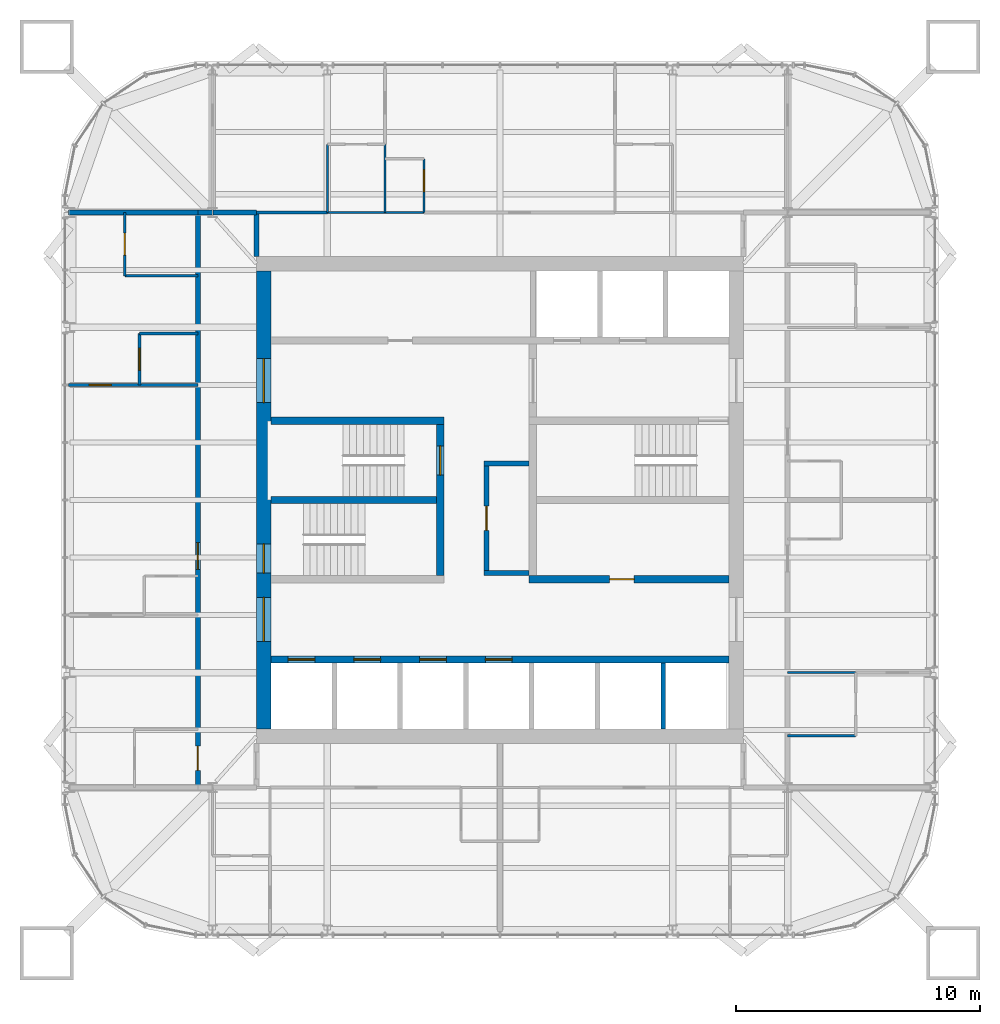
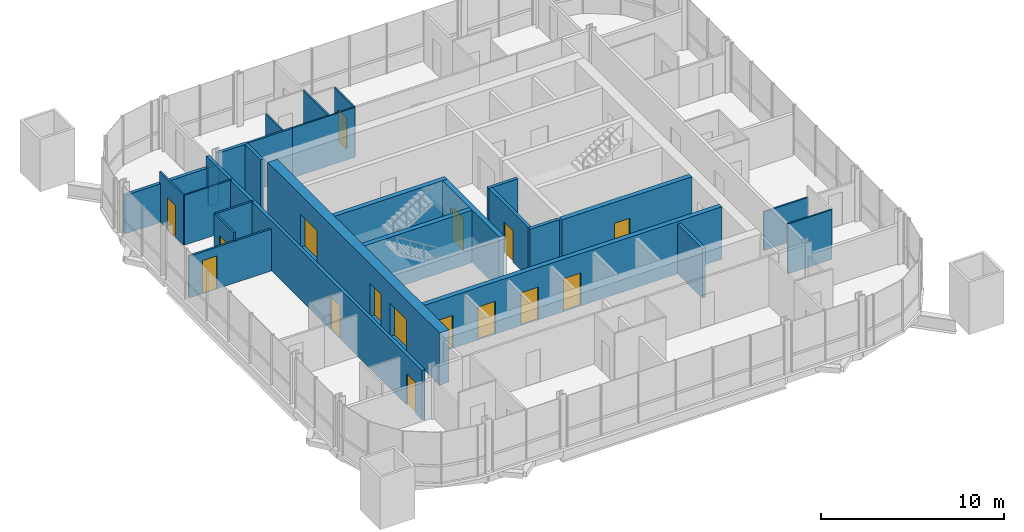
# One storey, part 14 of 17: 27 walls, 16 doors, 16 openings.
"""IFC4 building model written with IfcOpenShell, lengths in metres."""

from ifc_helpers import new_model, si_unit, direction, frame, frame_2d, origin, place, context, subcontext, project, spatial, rectangle, extrude, material, layer, layer_set, type_object, element, fill, save


model = new_model("IFC4")

# Units and contexts
model_context = context("Model", 3, precision=1e-05, world=origin(), true_north=direction((0.0, 1.0)))
body_context = subcontext(model_context, "Body", "Model", "MODEL_VIEW")
ifc_project = project(units=[si_unit("LENGTHUNIT", "METRE"), si_unit("AREAUNIT", "SQUARE_METRE"), si_unit("VOLUMEUNIT", "CUBIC_METRE"), si_unit("PLANEANGLEUNIT", "RADIAN"), si_unit("MASSUNIT", "GRAM", prefix="KILO")], contexts=[model_context])

# Site, building, storey
site_placement = place(None, origin())
site = spatial("IfcSite", under=ifc_project, at=site_placement, CompositionType="ELEMENT")
building_placement = place(site_placement, origin())
building = spatial("IfcBuilding", under=site, at=building_placement, Name="Turquesa Mirador Hotel Tower", CompositionType="ELEMENT")
storey_placement = place(building_placement, frame((0.0, 0.0, 237.199951171875)))
storey = spatial("IfcBuildingStorey", under=building, at=storey_placement, Name="L64", CompositionType="ELEMENT", Elevation=237.199951171875)

# Walls
ifc_material_1 = material(Name="Gypsum board on steel studs", Category="steel")
ifc_layer_1 = layer(ifc_material_1, 0.10009765625)
ifc_layer_set_1 = layer_set([ifc_layer_1], Name="BATHROOM WALL 100")
wall_type_1 = type_object("IfcWallType", Name="BATHROOM WALL 100", PredefinedType="PARTITIONING", material=ifc_layer_set_1)
wall_1_placement = place(storey_placement, frame((66.800048828125, 37.919921875, 0.0), z_axis=(0.0, 0.0, 1.0), x_axis=(1.0, 0.0, 0.0)))
element("IfcWall", 1, at=wall_1_placement, inside=storey, type_object=wall_type_1, Name="Partition L64 017", PredefinedType="PARTITIONING", context=body_context, shape_type="SweptSolid", body=[
    extrude(rectangle(XDim=2.800048828125, YDim=0.10009765625, at=frame_2d((1.39990234375, 0.0))), origin(), (0.0, 0.0, 1.0), 2.5732421875),
])
wall_2_placement = place(storey_placement, frame((66.800048828125, 35.320068359375, 0.0), z_axis=(0.0, 0.0, 1.0), x_axis=(1.0, 0.0, 0.0)))
element("IfcWall", 2, at=wall_2_placement, inside=storey, type_object=wall_type_1, Name="Partition L64 020", PredefinedType="PARTITIONING", context=body_context, shape_type="SweptSolid", body=[
    extrude(rectangle(XDim=2.800048828125, YDim=0.10009765625, at=frame_2d((1.39990234375, 0.0))), origin(), (0.0, 0.0, 1.0), 3.330078125),
])
wall_3_placement = place(storey_placement, frame((47.919921875, 56.800048828125, 0.0), z_axis=(0.0, 0.0, 1.0), x_axis=(1.0, 0.0, 0.0)))
element("IfcWall", 3, at=wall_3_placement, inside=storey, type_object=wall_type_1, Name="Partition L64 023", PredefinedType="PARTITIONING", context=body_context, shape_type="SweptSolid", body=[
    extrude(rectangle(XDim=3.9599609375, YDim=0.10009765625, at=frame_2d((1.97998046875, 0.0))), origin(), (0.0, 0.0, 1.0), 3.330078125),
])
wall_4_placement = place(storey_placement, frame((39.60009765625, 54.199951171875, 0.0), z_axis=(0.0, 0.0, 1.0), x_axis=(1.0, 0.0, 0.0)))
element("IfcWall", 4, at=wall_4_placement, inside=storey, type_object=wall_type_1, Name="Partition L64 039", PredefinedType="PARTITIONING", context=body_context, shape_type="SweptSolid", body=[
    extrude(rectangle(XDim=3.0, YDim=0.10009765625, at=frame_2d((1.5, 0.0))), origin(), (0.0, 0.0, 1.0), 3.330078125),
])

# Wall, opening, door
wall_5_placement = place(storey_placement, frame((39.60009765625, 54.199951171875, 0.0), z_axis=(0.0, 0.0, 1.0), x_axis=(0.0, 1.0, 0.0)))
wall_5 = element("IfcWall", 5, at=wall_5_placement, inside=storey, type_object=wall_type_1, Name="Partition L64 050", PredefinedType="PARTITIONING", context=body_context, shape_type="SweptSolid", body=[
    extrude(rectangle(XDim=2.60009765625, YDim=0.10009765625, at=frame_2d((1.300048828125, 0.0))), origin(), (0.0, 0.0, 1.0), 3.330078125),
])
opening_1_placement = place(wall_5_placement, frame((0.85009765625, 0.0, 0.0)))
opening_1 = element("IfcOpeningElement", 6, at=opening_1_placement, cuts=wall_5, Name="Opening D02", PredefinedType="OPENING", context=body_context, shape_type="SweptSolid", body=[
    extrude(rectangle(XDim=0.89990234375, YDim=2.10009765625, at=frame_2d((0.449951171875, 1.050048828125))), frame((0.0, 0.06005859375, 0.0), z_axis=(0.0, -1.0, 0.0), x_axis=(1.0, 0.0, 0.0)), (0.0, 0.0, 1.0), 0.1201171875),
])
ifc_material_2 = material(Name="Timber veneered door", Category="wood")
door_type_1 = type_object("IfcDoorType", Name="DOOR 900X2100 EN-SUITE", OperationType="SINGLE_SWING_RIGHT", PredefinedType="DOOR", material=ifc_material_2)
door_1_placement = place(opening_1_placement, origin())
door_1 = element("IfcDoor", 7, at=door_1_placement, inside=storey, type_object=door_type_1, Name="Door 6406B", OperationType="SINGLE_SWING_RIGHT", OverallHeight=2.10009765625, OverallWidth=0.89990234375, PredefinedType="DOOR", context=body_context, shape_type="SweptSolid", body=[
    extrude(rectangle(XDim=0.89990234375, YDim=2.10009765625, at=frame_2d((0.449951171875, 1.050048828125))), frame((0.0, 0.02490234375, 0.0), z_axis=(0.0, -1.0, 0.0), x_axis=(1.0, 0.0, 0.0)), (0.0, 0.0, 1.0), 0.050048828125),
])
fill(opening_1, door_1)

wall_6_placement = place(storey_placement, frame((51.8798828125, 56.800048828125, 0.0), z_axis=(0.0, 0.0, 1.0), x_axis=(0.0, 1.0, 0.0)))
wall_6 = element("IfcWall", 8, at=wall_6_placement, inside=storey, type_object=wall_type_1, Name="Partition L64 051", PredefinedType="PARTITIONING", context=body_context, shape_type="SweptSolid", body=[
    extrude(rectangle(XDim=2.199951171875, YDim=0.10009765625, at=frame_2d((1.10009765625, 0.0))), origin(), (0.0, 0.0, 1.0), 3.330078125),
])
opening_2_placement = place(wall_6_placement, frame((0.85009765625, 0.0, 0.0)))
opening_2 = element("IfcOpeningElement", 9, at=opening_2_placement, cuts=wall_6, Name="Opening D06", PredefinedType="OPENING", context=body_context, shape_type="SweptSolid", body=[
    extrude(rectangle(XDim=0.89990234375, YDim=2.10009765625, at=frame_2d((0.449951171875, 1.050048828125))), frame((0.0, 0.06005859375, 0.0), z_axis=(0.0, -1.0, 0.0), x_axis=(1.0, 0.0, 0.0)), (0.0, 0.0, 1.0), 0.1201171875),
])
ifc_material_3 = material(Name="Laminate door", Category="wood")
door_type_2 = type_object("IfcDoorType", Name="DOOR 900X2100 WC", OperationType="SINGLE_SWING_LEFT", PredefinedType="DOOR", material=ifc_material_3)
door_2_placement = place(opening_2_placement, origin())
door_2 = element("IfcDoor", 10, at=door_2_placement, inside=storey, type_object=door_type_2, Name="Door 6401W", OperationType="SINGLE_SWING_LEFT", OverallHeight=2.10009765625, OverallWidth=0.89990234375, PredefinedType="DOOR", context=body_context, shape_type="SweptSolid", body=[
    extrude(rectangle(XDim=0.89990234375, YDim=2.10009765625, at=frame_2d((0.449951171875, 1.050048828125))), frame((0.0, 0.02490234375, 0.0), z_axis=(0.0, -1.0, 0.0), x_axis=(1.0, 0.0, 0.0)), (0.0, 0.0, 1.0), 0.050048828125),
])
fill(opening_2, door_2)

# Walls
wall_7_placement = place(storey_placement, frame((50.280029296875, 56.800048828125, 0.0), z_axis=(0.0, 0.0, 1.0), x_axis=(0.0, 1.0, 0.0)))
element("IfcWall", 11, at=wall_7_placement, inside=storey, type_object=wall_type_1, Name="Partition L64 052", PredefinedType="PARTITIONING", context=body_context, shape_type="SweptSolid", body=[
    extrude(rectangle(XDim=2.800048828125, YDim=0.10009765625, at=frame_2d((1.39990234375, 0.0))), origin(), (0.0, 0.0, 1.0), 3.330078125),
])
wall_8_placement = place(storey_placement, frame((47.919921875, 56.800048828125, 0.0), z_axis=(0.0, 0.0, 1.0), x_axis=(0.0, 1.0, 0.0)))
element("IfcWall", 12, at=wall_8_placement, inside=storey, type_object=wall_type_1, Name="Partition L64 054", PredefinedType="PARTITIONING", context=body_context, shape_type="SweptSolid", body=[
    extrude(rectangle(XDim=2.800048828125, YDim=0.10009765625, at=frame_2d((1.39990234375, 0.0))), origin(), (0.0, 0.0, 1.0), 2.5732421875),
])

# Wall, openings, doors
ifc_material_4 = material(Name="Concrete C50/60", Category="concrete")
ifc_layer_2 = layer(ifc_material_4, 0.300048828125)
ifc_layer_set_2 = layer_set([ifc_layer_2], Name="CORE INNER WALL 300")
wall_type_2 = type_object("IfcWallType", Name="CORE INNER WALL 300", PredefinedType="SHEAR", material=ifc_layer_set_2)
wall_9_placement = place(storey_placement, frame((45.60009765625, 38.449951171875, 0.0), z_axis=(0.0, 0.0, 1.0), x_axis=(1.0, 0.0, 0.0)))
wall_9 = element("IfcWall", 13, at=wall_9_placement, inside=storey, type_object=wall_type_2, Name="Core wall SL", PredefinedType="SHEAR", context=body_context, shape_type="SweptSolid", body=[
    extrude(rectangle(XDim=18.7998046875, YDim=0.300048828125, at=frame_2d((9.39990234375, 0.0))), origin(), (0.0, 0.0, 1.0), 3.5),
])
opening_3_placement = place(wall_9_placement, frame((0.699951171875, 0.0, 0.0)))
opening_3 = element("IfcOpeningElement", 14, at=opening_3_placement, cuts=wall_9, Name="Opening LD", PredefinedType="OPENING", context=body_context, shape_type="SweptSolid", body=[
    extrude(rectangle(XDim=1.10009765625, YDim=2.199951171875, at=frame_2d((0.550048828125, 1.10009765625))), frame((0.0, 0.159912109375, 0.0), z_axis=(0.0, -1.0, 0.0), x_axis=(1.0, 0.0, 0.0)), (0.0, 0.0, 1.0), 0.320068359375),
])
opening_4_placement = place(wall_9_placement, frame((3.39990234375, 0.0, 0.0)))
opening_4 = element("IfcOpeningElement", 15, at=opening_4_placement, cuts=wall_9, Name="Opening LD", PredefinedType="OPENING", context=body_context, shape_type="SweptSolid", body=[
    extrude(rectangle(XDim=1.10009765625, YDim=2.199951171875, at=frame_2d((0.550048828125, 1.10009765625))), frame((0.0, 0.159912109375, 0.0), z_axis=(0.0, -1.0, 0.0), x_axis=(1.0, 0.0, 0.0)), (0.0, 0.0, 1.0), 0.320068359375),
])
opening_5_placement = place(wall_9_placement, frame((6.10009765625, 0.0, 0.0)))
opening_5 = element("IfcOpeningElement", 16, at=opening_5_placement, cuts=wall_9, Name="Opening LD", PredefinedType="OPENING", context=body_context, shape_type="SweptSolid", body=[
    extrude(rectangle(XDim=1.10009765625, YDim=2.199951171875, at=frame_2d((0.550048828125, 1.10009765625))), frame((0.0, 0.159912109375, 0.0), z_axis=(0.0, -1.0, 0.0), x_axis=(1.0, 0.0, 0.0)), (0.0, 0.0, 1.0), 0.320068359375),
])
opening_6_placement = place(wall_9_placement, frame((8.800048828125, 0.0, 0.0)))
opening_6 = element("IfcOpeningElement", 17, at=opening_6_placement, cuts=wall_9, Name="Opening LD", PredefinedType="OPENING", context=body_context, shape_type="SweptSolid", body=[
    extrude(rectangle(XDim=1.10009765625, YDim=2.199951171875, at=frame_2d((0.550048828125, 1.10009765625))), frame((0.0, 0.159912109375, 0.0), z_axis=(0.0, -1.0, 0.0), x_axis=(1.0, 0.0, 0.0)), (0.0, 0.0, 1.0), 0.320068359375),
])
ifc_material_5 = material(Name="Stainless steel lift landing door", Category="steel")
door_type_3 = type_object("IfcDoorType", Name="LIFT LANDING DOOR 1100X2200", OperationType="SLIDING_TO_LEFT", PredefinedType="DOOR", material=ifc_material_5)
door_3_placement = place(opening_3_placement, origin())
door_3 = element("IfcDoor", 18, at=door_3_placement, inside=storey, type_object=door_type_3, Name="Lift B1 landing door", OperationType="SLIDING_TO_LEFT", OverallHeight=2.199951171875, OverallWidth=1.10009765625, PredefinedType="DOOR", context=body_context, shape_type="SweptSolid", body=[
    extrude(rectangle(XDim=1.10009765625, YDim=2.199951171875, at=frame_2d((0.550048828125, 1.10009765625))), frame((0.0, 0.02490234375, 0.0), z_axis=(0.0, -1.0, 0.0), x_axis=(1.0, 0.0, 0.0)), (0.0, 0.0, 1.0), 0.050048828125),
])
fill(opening_3, door_3)
door_4_placement = place(opening_4_placement, origin())
door_4 = element("IfcDoor", 19, at=door_4_placement, inside=storey, type_object=door_type_3, Name="Lift B2 landing door", OperationType="SLIDING_TO_LEFT", OverallHeight=2.199951171875, OverallWidth=1.10009765625, PredefinedType="DOOR", context=body_context, shape_type="SweptSolid", body=[
    extrude(rectangle(XDim=1.10009765625, YDim=2.199951171875, at=frame_2d((0.550048828125, 1.10009765625))), frame((0.0, 0.02490234375, 0.0), z_axis=(0.0, -1.0, 0.0), x_axis=(1.0, 0.0, 0.0)), (0.0, 0.0, 1.0), 0.050048828125),
])
fill(opening_4, door_4)
door_5_placement = place(opening_5_placement, origin())
door_5 = element("IfcDoor", 20, at=door_5_placement, inside=storey, type_object=door_type_3, Name="Lift B3 landing door", OperationType="SLIDING_TO_LEFT", OverallHeight=2.199951171875, OverallWidth=1.10009765625, PredefinedType="DOOR", context=body_context, shape_type="SweptSolid", body=[
    extrude(rectangle(XDim=1.10009765625, YDim=2.199951171875, at=frame_2d((0.550048828125, 1.10009765625))), frame((0.0, 0.02490234375, 0.0), z_axis=(0.0, -1.0, 0.0), x_axis=(1.0, 0.0, 0.0)), (0.0, 0.0, 1.0), 0.050048828125),
])
fill(opening_5, door_5)
door_6_placement = place(opening_6_placement, origin())
door_6 = element("IfcDoor", 21, at=door_6_placement, inside=storey, type_object=door_type_3, Name="Lift B4 landing door", OperationType="SLIDING_TO_LEFT", OverallHeight=2.199951171875, OverallWidth=1.10009765625, PredefinedType="DOOR", context=body_context, shape_type="SweptSolid", body=[
    extrude(rectangle(XDim=1.10009765625, YDim=2.199951171875, at=frame_2d((0.550048828125, 1.10009765625))), frame((0.0, 0.02490234375, 0.0), z_axis=(0.0, -1.0, 0.0), x_axis=(1.0, 0.0, 0.0)), (0.0, 0.0, 1.0), 0.050048828125),
])
fill(opening_6, door_6)

# Wall
wall_10_placement = place(storey_placement, frame((45.60009765625, 48.25, 0.0), z_axis=(0.0, 0.0, 1.0), x_axis=(1.0, 0.0, 0.0)))
element("IfcWall", 22, at=wall_10_placement, inside=storey, type_object=wall_type_2, Name="Core wall MN-W", PredefinedType="SHEAR", context=body_context, shape_type="SweptSolid", body=[
    extrude(rectangle(XDim=7.099853515625, YDim=0.300048828125, at=frame_2d((3.5498046875, 0.0))), origin(), (0.0, 0.0, 1.0), 3.5),
])

# Wall, opening, door
wall_11_placement = place(storey_placement, frame((56.199951171875, 41.75, 0.0), z_axis=(0.0, 0.0, 1.0), x_axis=(1.0, 0.0, 0.0)))
wall_11 = element("IfcWall", 23, at=wall_11_placement, inside=storey, type_object=wall_type_2, Name="Core wall MS-E", PredefinedType="SHEAR", context=body_context, shape_type="SweptSolid", body=[
    extrude(rectangle(XDim=8.199951171875, YDim=0.300048828125, at=frame_2d((4.10009765625, 0.0))), origin(), (0.0, 0.0, 1.0), 3.5),
])
opening_7_placement = place(wall_11_placement, frame((3.300048828125, 0.0, 0.0)))
opening_7 = element("IfcOpeningElement", 24, at=opening_7_placement, cuts=wall_11, Name="Opening D05", PredefinedType="OPENING", context=body_context, shape_type="SweptSolid", body=[
    extrude(rectangle(XDim=1.0, YDim=2.10009765625, at=frame_2d((0.5, 1.050048828125))), frame((0.0, 0.159912109375, 0.0), z_axis=(0.0, -1.0, 0.0), x_axis=(1.0, 0.0, 0.0)), (0.0, 0.0, 1.0), 0.320068359375),
])
ifc_material_6 = material(Name="Steel fire door", Category="steel")
door_type_4 = type_object("IfcDoorType", Name="DOOR 1000X2100 SERVICE", OperationType="SINGLE_SWING_LEFT", PredefinedType="DOOR", material=ifc_material_6)
door_7_placement = place(opening_7_placement, origin())
door_7 = element("IfcDoor", 25, at=door_7_placement, inside=storey, type_object=door_type_4, Name="Housekeeping room door", OperationType="SINGLE_SWING_LEFT", OverallHeight=2.10009765625, OverallWidth=1.0, PredefinedType="DOOR", context=body_context, shape_type="SweptSolid", body=[
    extrude(rectangle(XDim=1.0, YDim=2.10009765625, at=frame_2d((0.5, 1.050048828125))), frame((0.0, 0.02490234375, 0.0), z_axis=(0.0, -1.0, 0.0), x_axis=(1.0, 0.0, 0.0)), (0.0, 0.0, 1.0), 0.050048828125),
])
fill(opening_7, door_7)

wall_12_placement = place(storey_placement, frame((52.550048828125, 41.89990234375, 0.0), z_axis=(0.0, 0.0, 1.0), x_axis=(0.0, 1.0, 0.0)))
wall_12 = element("IfcWall", 26, at=wall_12_placement, inside=storey, type_object=wall_type_2, Name="Core wall PW", PredefinedType="SHEAR", context=body_context, shape_type="SweptSolid", body=[
    extrude(rectangle(XDim=6.2001953125, YDim=0.300048828125, at=frame_2d((3.10009765625, 0.0))), origin(), (0.0, 0.0, 1.0), 3.5),
])
opening_8_placement = place(wall_12_placement, frame((4.125, 0.0, 0.0)))
opening_8 = element("IfcOpeningElement", 27, at=opening_8_placement, cuts=wall_12, Name="Opening D03", PredefinedType="OPENING", context=body_context, shape_type="SweptSolid", body=[
    extrude(rectangle(XDim=1.199951171875, YDim=2.199951171875, at=frame_2d((0.60009765625, 1.10009765625))), frame((0.0, 0.159912109375, 0.0), z_axis=(0.0, -1.0, 0.0), x_axis=(1.0, 0.0, 0.0)), (0.0, 0.0, 1.0), 0.320068359375),
])
ifc_material_7 = material(Name="Steel fire door", Category="steel")
door_type_5 = type_object("IfcDoorType", Name="DOOR 1200X2200 STAIR", OperationType="SINGLE_SWING_LEFT", PredefinedType="DOOR", material=ifc_material_7)
door_8_placement = place(opening_8_placement, origin())
door_8 = element("IfcDoor", 28, at=door_8_placement, inside=storey, type_object=door_type_5, Name="Stair ST1 door", OperationType="SINGLE_SWING_LEFT", OverallHeight=2.199951171875, OverallWidth=1.199951171875, PredefinedType="DOOR", context=body_context, shape_type="SweptSolid", body=[
    extrude(rectangle(XDim=1.199951171875, YDim=2.199951171875, at=frame_2d((0.60009765625, 1.10009765625))), frame((0.0, 0.02490234375, 0.0), z_axis=(0.0, -1.0, 0.0), x_axis=(1.0, 0.0, 0.0)), (0.0, 0.0, 1.0), 0.050048828125),
])
fill(opening_8, door_8)

# Wall
wall_13_placement = place(storey_placement, frame((45.60009765625, 45.0, 0.0), z_axis=(0.0, 0.0, 1.0), x_axis=(1.0, 0.0, 0.0)))
element("IfcWall", 29, at=wall_13_placement, inside=storey, type_object=wall_type_2, Name="Core wall M0-W", PredefinedType="SHEAR", context=body_context, shape_type="SweptSolid", body=[
    extrude(rectangle(XDim=6.7998046875, YDim=0.300048828125, at=frame_2d((3.39990234375, 0.0))), origin(), (0.0, 0.0, 1.0), 3.5),
])

# Wall, openings, doors
ifc_material_8 = material(Name="Concrete C50/60", Category="concrete")
ifc_layer_3 = layer(ifc_material_8, 0.60009765625)
ifc_layer_set_3 = layer_set([ifc_layer_3], Name="CORE WALL 600")
wall_type_3 = type_object("IfcWallType", Name="CORE WALL 600", PredefinedType="SHEAR", material=ifc_layer_set_3)
wall_14_placement = place(storey_placement, frame((45.300048828125, 35.60009765625, 0.0), z_axis=(0.0, 0.0, 1.0), x_axis=(0.0, 1.0, 0.0)))
wall_14 = element("IfcWall", 30, at=wall_14_placement, inside=storey, type_object=wall_type_3, Name="Core wall W", PredefinedType="SHEAR", context=body_context, shape_type="SweptSolid", body=[
    extrude(rectangle(XDim=18.7998046875, YDim=0.60009765625, at=frame_2d((9.39990234375, 0.0))), origin(), (0.0, 0.0, 1.0), 3.5),
])
opening_9_placement = place(wall_14_placement, frame((13.39990234375, 0.0, 0.0)))
opening_9 = element("IfcOpeningElement", 31, at=opening_9_placement, cuts=wall_14, Name="Opening D04", PredefinedType="OPENING", context=body_context, shape_type="SweptSolid", body=[
    extrude(rectangle(XDim=1.800048828125, YDim=2.199951171875, at=frame_2d((0.89990234375, 1.10009765625))), frame((0.0, 0.31005859375, 0.0), z_axis=(0.0, -1.0, 0.0), x_axis=(1.0, 0.0, 0.0)), (0.0, 0.0, 1.0), 0.6201171875),
])
opening_10_placement = place(wall_14_placement, frame((3.60009765625, 0.0, 0.0)))
opening_10 = element("IfcOpeningElement", 32, at=opening_10_placement, cuts=wall_14, Name="Opening D04", PredefinedType="OPENING", context=body_context, shape_type="SweptSolid", body=[
    extrude(rectangle(XDim=1.800048828125, YDim=2.199951171875, at=frame_2d((0.89990234375, 1.10009765625))), frame((0.0, 0.31005859375, 0.0), z_axis=(0.0, -1.0, 0.0), x_axis=(1.0, 0.0, 0.0)), (0.0, 0.0, 1.0), 0.6201171875),
])
opening_11_placement = place(wall_14_placement, frame((6.39990234375, 0.0, 0.0)))
opening_11 = element("IfcOpeningElement", 33, at=opening_11_placement, cuts=wall_14, Name="Opening D03", PredefinedType="OPENING", context=body_context, shape_type="SweptSolid", body=[
    extrude(rectangle(XDim=1.199951171875, YDim=2.199951171875, at=frame_2d((0.60009765625, 1.10009765625))), frame((0.0, 0.31005859375, 0.0), z_axis=(0.0, -1.0, 0.0), x_axis=(1.0, 0.0, 0.0)), (0.0, 0.0, 1.0), 0.6201171875),
])
door_9_placement = place(opening_11_placement, origin())
door_9 = element("IfcDoor", 34, at=door_9_placement, inside=storey, type_object=door_type_5, Name="Stair ST2 door", OperationType="SINGLE_SWING_LEFT", OverallHeight=2.199951171875, OverallWidth=1.199951171875, PredefinedType="DOOR", context=body_context, shape_type="SweptSolid", body=[
    extrude(rectangle(XDim=1.199951171875, YDim=2.199951171875, at=frame_2d((0.60009765625, 1.10009765625))), frame((0.0, 0.02490234375, 0.0), z_axis=(0.0, -1.0, 0.0), x_axis=(1.0, 0.0, 0.0)), (0.0, 0.0, 1.0), 0.050048828125),
])
fill(opening_11, door_9)
ifc_material_9 = material(Name="Steel fire door pair", Category="steel")
door_type_6 = type_object("IfcDoorType", Name="DOOR 1800X2200 PAIR", OperationType="DOUBLE_DOOR_SINGLE_SWING", PredefinedType="DOOR", material=ifc_material_9)
door_10_placement = place(opening_9_placement, origin())
door_10 = element("IfcDoor", 35, at=door_10_placement, inside=storey, type_object=door_type_6, Name="North lift lobby door", OperationType="DOUBLE_DOOR_SINGLE_SWING", OverallHeight=2.199951171875, OverallWidth=1.800048828125, PredefinedType="DOOR", context=body_context, shape_type="SweptSolid", body=[
    extrude(rectangle(XDim=1.800048828125, YDim=2.199951171875, at=frame_2d((0.89990234375, 1.10009765625))), frame((0.0, 0.02490234375, 0.0), z_axis=(0.0, -1.0, 0.0), x_axis=(1.0, 0.0, 0.0)), (0.0, 0.0, 1.0), 0.050048828125),
])
fill(opening_9, door_10)
door_11_placement = place(opening_10_placement, origin())
door_11 = element("IfcDoor", 36, at=door_11_placement, inside=storey, type_object=door_type_6, Name="South lift lobby door", OperationType="DOUBLE_DOOR_SINGLE_SWING", OverallHeight=2.199951171875, OverallWidth=1.800048828125, PredefinedType="DOOR", context=body_context, shape_type="SweptSolid", body=[
    extrude(rectangle(XDim=1.800048828125, YDim=2.199951171875, at=frame_2d((0.89990234375, 1.10009765625))), frame((0.0, 0.02490234375, 0.0), z_axis=(0.0, -1.0, 0.0), x_axis=(1.0, 0.0, 0.0)), (0.0, 0.0, 1.0), 0.050048828125),
])
fill(opening_10, door_11)

# Walls
ifc_material_10 = material(Name="Fire-rated gypsum board on steel studs", Category="steel")
ifc_layer_4 = layer(ifc_material_10, 0.199951171875)
ifc_layer_set_4 = layer_set([ifc_layer_4], Name="CORRIDOR WALL 200")
wall_type_4 = type_object("IfcWallType", Name="CORRIDOR WALL 200", PredefinedType="PARTITIONING", material=ifc_layer_set_4)
wall_15_placement = place(storey_placement, frame((43.219970703125, 56.800048828125, 0.0), z_axis=(0.0, 0.0, 1.0), x_axis=(1.0, 0.0, 0.0)))
element("IfcWall", 37, at=wall_15_placement, inside=storey, type_object=wall_type_4, Name="Partition L64 025", PredefinedType="PARTITIONING", context=body_context, shape_type="SweptSolid", body=[
    extrude(rectangle(XDim=1.780029296875, YDim=0.199951171875, at=frame_2d((0.89013671875, 0.0))), origin(), (0.0, 0.0, 1.0), 3.330078125),
])
wall_16_placement = place(storey_placement, frame((45.0, 55.0, 0.0), z_axis=(0.0, 0.0, 1.0), x_axis=(0.0, 1.0, 0.0)))
element("IfcWall", 38, at=wall_16_placement, inside=storey, type_object=wall_type_4, Name="Partition L64 043", PredefinedType="PARTITIONING", context=body_context, shape_type="SweptSolid", body=[
    extrude(rectangle(XDim=1.800048828125, YDim=0.199951171875, at=frame_2d((0.89990234375, 0.0))), origin(), (0.0, 0.0, 1.0), 3.330078125),
])

# Wall, openings, doors
wall_17_placement = place(storey_placement, frame((42.60009765625, 33.199951171875, 0.0), z_axis=(0.0, 0.0, 1.0), x_axis=(0.0, 1.0, 0.0)))
wall_17 = element("IfcWall", 39, at=wall_17_placement, inside=storey, type_object=wall_type_4, Name="Partition L64 046", PredefinedType="PARTITIONING", context=body_context, shape_type="SweptSolid", body=[
    extrude(rectangle(XDim=23.60009765625, YDim=0.199951171875, at=frame_2d((11.800048828125, 0.0))), origin(), (0.0, 0.0, 1.0), 3.330078125),
])
opening_12_placement = place(wall_17_placement, frame((8.949951171875, 0.0, 0.0)))
opening_12 = element("IfcOpeningElement", 40, at=opening_12_placement, cuts=wall_17, Name="Opening D15", PredefinedType="OPENING", context=body_context, shape_type="SweptSolid", body=[
    extrude(rectangle(XDim=1.10009765625, YDim=2.199951171875, at=frame_2d((0.550048828125, 1.10009765625))), frame((0.0, 0.10986328125, 0.0), z_axis=(0.0, -1.0, 0.0), x_axis=(1.0, 0.0, 0.0)), (0.0, 0.0, 1.0), 0.219970703125),
])
opening_13_placement = place(wall_17_placement, frame((0.699951171875, 0.0, 0.0)))
opening_13 = element("IfcOpeningElement", 41, at=opening_13_placement, cuts=wall_17, Name="Opening D05", PredefinedType="OPENING", context=body_context, shape_type="SweptSolid", body=[
    extrude(rectangle(XDim=1.0, YDim=2.10009765625, at=frame_2d((0.5, 1.050048828125))), frame((0.0, 0.10986328125, 0.0), z_axis=(0.0, -1.0, 0.0), x_axis=(1.0, 0.0, 0.0)), (0.0, 0.0, 1.0), 0.219970703125),
])
door_12_placement = place(opening_13_placement, origin())
door_12 = element("IfcDoor", 42, at=door_12_placement, inside=storey, type_object=door_type_4, Name="Door 6406P-1", OperationType="SINGLE_SWING_LEFT", OverallHeight=2.10009765625, OverallWidth=1.0, PredefinedType="DOOR", context=body_context, shape_type="SweptSolid", body=[
    extrude(rectangle(XDim=1.0, YDim=2.10009765625, at=frame_2d((0.5, 1.050048828125))), frame((0.0, 0.02490234375, 0.0), z_axis=(0.0, -1.0, 0.0), x_axis=(1.0, 0.0, 0.0)), (0.0, 0.0, 1.0), 0.050048828125),
])
fill(opening_13, door_12)
ifc_material_11 = material(Name="Timber veneered fire door", Category="wood")
door_type_7 = type_object("IfcDoorType", Name="DOOR 1100X2200 SUITE ENTRY", OperationType="SINGLE_SWING_LEFT", PredefinedType="DOOR", material=ifc_material_11)
door_13_placement = place(opening_12_placement, origin())
door_13 = element("IfcDoor", 43, at=door_13_placement, inside=storey, type_object=door_type_7, Name="Door 6406", OperationType="SINGLE_SWING_LEFT", OverallHeight=2.199951171875, OverallWidth=1.10009765625, PredefinedType="DOOR", context=body_context, shape_type="SweptSolid", body=[
    extrude(rectangle(XDim=1.10009765625, YDim=2.199951171875, at=frame_2d((0.550048828125, 1.10009765625))), frame((0.0, 0.02490234375, 0.0), z_axis=(0.0, -1.0, 0.0), x_axis=(1.0, 0.0, 0.0)), (0.0, 0.0, 1.0), 0.050048828125),
])
fill(opening_12, door_13)

# Wall
wall_18_placement = place(storey_placement, frame((42.60009765625, 56.800048828125, 0.0), z_axis=(0.0, 0.0, 1.0), x_axis=(1.0, 0.0, 0.0)))
element("IfcWall", 44, at=wall_18_placement, inside=storey, type_object=wall_type_4, Name="Partition L64 073", PredefinedType="PARTITIONING", context=body_context, shape_type="SweptSolid", body=[
    extrude(rectangle(XDim=0.619873046875, YDim=0.199951171875, at=frame_2d((0.31005859375, 0.0))), origin(), (0.0, 0.0, 1.0), 2.5732421875),
])

# Wall, opening, door
ifc_material_12 = material(Name="Fire-rated gypsum board on steel studs", Category="steel")
ifc_layer_5 = layer(ifc_material_12, 0.199951171875)
ifc_layer_set_5 = layer_set([ifc_layer_5], Name="FIRE PARTITION 200")
wall_type_5 = type_object("IfcWallType", Name="FIRE PARTITION 200", PredefinedType="PARTITIONING", material=ifc_layer_set_5)
wall_19_placement = place(storey_placement, frame((54.449951171875, 42.0, 0.0), z_axis=(0.0, 0.0, 1.0), x_axis=(0.0, 1.0, 0.0)))
wall_19 = element("IfcWall", 45, at=wall_19_placement, inside=storey, type_object=wall_type_5, Name="Partition L64 BO W", PredefinedType="PARTITIONING", context=body_context, shape_type="SweptSolid", body=[
    extrude(rectangle(XDim=4.5, YDim=0.199951171875, at=frame_2d((2.25, 0.0))), origin(), (0.0, 0.0, 1.0), 3.330078125),
])
opening_14_placement = place(wall_19_placement, frame((1.75, 0.0, 0.0)))
opening_14 = element("IfcOpeningElement", 46, at=opening_14_placement, cuts=wall_19, Name="Opening D05", PredefinedType="OPENING", context=body_context, shape_type="SweptSolid", body=[
    extrude(rectangle(XDim=1.0, YDim=2.10009765625, at=frame_2d((0.5, 1.050048828125))), frame((0.0, 0.10986328125, 0.0), z_axis=(0.0, -1.0, 0.0), x_axis=(1.0, 0.0, 0.0)), (0.0, 0.0, 1.0), 0.219970703125),
])
door_14_placement = place(opening_14_placement, origin())
door_14 = element("IfcDoor", 47, at=door_14_placement, inside=storey, type_object=door_type_4, Name="Butler's pantry door", OperationType="SINGLE_SWING_LEFT", OverallHeight=2.10009765625, OverallWidth=1.0, PredefinedType="DOOR", context=body_context, shape_type="SweptSolid", body=[
    extrude(rectangle(XDim=1.0, YDim=2.10009765625, at=frame_2d((0.5, 1.050048828125))), frame((0.0, 0.02490234375, 0.0), z_axis=(0.0, -1.0, 0.0), x_axis=(1.0, 0.0, 0.0)), (0.0, 0.0, 1.0), 0.050048828125),
])
fill(opening_14, door_14)

# Walls
for number, where, z_axis, x_axis, name in (
    (48, (54.35009765625, 42.0, 0.0), (0.0, 0.0, 1.0), (1.0, 0.0, 0.0), "Partition L64 BO S"),
    (49, (54.35009765625, 46.5, 0.0), (0.0, 0.0, 1.0), (1.0, 0.0, 0.0), "Partition L64 BO N"),
):
    element("IfcWall", number, at=place(storey_placement, frame(where, z_axis=z_axis, x_axis=x_axis)), inside=storey, type_object=wall_type_5, Name=name, PredefinedType="PARTITIONING", context=body_context, shape_type="SweptSolid", body=[
        extrude(rectangle(XDim=1.849853515625, YDim=0.199951171875, at=frame_2d((0.9248046875, 0.0))), origin(), (0.0, 0.0, 1.0), 3.330078125),
    ])
ifc_material_13 = material(Name="Fire-rated gypsum shaft wall on steel studs", Category="steel")
ifc_layer_6 = layer(ifc_material_13, 0.199951171875)
ifc_layer_set_6 = layer_set([ifc_layer_6], Name="LIFT SHAFT DIVIDER 200")
wall_type_6 = type_object("IfcWallType", Name="LIFT SHAFT DIVIDER 200", PredefinedType="PARTITIONING", material=ifc_layer_set_6)
wall_20_placement = place(storey_placement, frame((61.699951171875, 35.60009765625, 0.0), z_axis=(0.0, 0.0, 1.0), x_axis=(0.0, 1.0, 0.0)))
element("IfcWall", 50, at=wall_20_placement, inside=storey, type_object=wall_type_6, Name="Lift shaft divider", PredefinedType="PARTITIONING", context=body_context, shape_type="SweptSolid", body=[
    extrude(rectangle(XDim=2.699951171875, YDim=0.199951171875, at=frame_2d((1.35009765625, 0.0))), origin(), (0.0, 0.0, 1.0), 3.330078125),
])
ifc_material_14 = material(Name="Fire-rated gypsum board on steel studs", Category="steel")
ifc_layer_7 = layer(ifc_material_14, 0.199951171875)
ifc_layer_set_7 = layer_set([ifc_layer_7], Name="PARTY WALL 200")
wall_type_7 = type_object("IfcWallType", Name="PARTY WALL 200", PredefinedType="PARTITIONING", material=ifc_layer_set_7)
wall_21_placement = place(storey_placement, frame((37.300048828125, 56.800048828125, 0.0), z_axis=(0.0, 0.0, 1.0), x_axis=(1.0, 0.0, 0.0)))
element("IfcWall", 51, at=wall_21_placement, inside=storey, type_object=wall_type_7, Name="Partition L64 027", PredefinedType="PARTITIONING", context=body_context, shape_type="SweptSolid", body=[
    extrude(rectangle(XDim=5.300048828125, YDim=0.199951171875, at=frame_2d((2.64990234375, 0.0))), origin(), (0.0, 0.0, 1.0), 2.5732421875),
])
ifc_material_15 = material(Name="Acoustic gypsum board on steel studs", Category="steel")
ifc_layer_8 = layer(ifc_material_15, 0.125)
ifc_layer_set_8 = layer_set([ifc_layer_8], Name="SUITE PARTITION 125")
wall_type_8 = type_object("IfcWallType", Name="SUITE PARTITION 125", PredefinedType="PARTITIONING", material=ifc_layer_set_8)
wall_22_placement = place(storey_placement, frame((45.0, 56.800048828125, 0.0), z_axis=(0.0, 0.0, 1.0), x_axis=(1.0, 0.0, 0.0)))
element("IfcWall", 52, at=wall_22_placement, inside=storey, type_object=wall_type_8, Name="Partition L64 029", PredefinedType="PARTITIONING", context=body_context, shape_type="SweptSolid", body=[
    extrude(rectangle(XDim=2.919921875, YDim=0.125, at=frame_2d((1.4599609375, 0.0))), origin(), (0.0, 0.0, 1.0), 3.330078125),
])

# Wall, opening, door
wall_23_placement = place(storey_placement, frame((37.300048828125, 49.719970703125, 0.0), z_axis=(0.0, 0.0, 1.0), x_axis=(1.0, 0.0, 0.0)))
wall_23 = element("IfcWall", 53, at=wall_23_placement, inside=storey, type_object=wall_type_8, Name="Partition L64 035", PredefinedType="PARTITIONING", context=body_context, shape_type="SweptSolid", body=[
    extrude(rectangle(XDim=5.300048828125, YDim=0.125, at=frame_2d((2.64990234375, 0.0))), origin(), (0.0, 0.0, 1.0), 2.796630859375),
])
opening_15_placement = place(wall_23_placement, frame((0.85009765625, 0.0, 0.0)))
opening_15 = element("IfcOpeningElement", 54, at=opening_15_placement, cuts=wall_23, Name="Opening D17", PredefinedType="OPENING", context=body_context, shape_type="SweptSolid", body=[
    extrude(rectangle(XDim=0.89990234375, YDim=2.199951171875, at=frame_2d((0.449951171875, 1.10009765625))), frame((0.0, 0.072509765625, 0.0), z_axis=(0.0, -1.0, 0.0), x_axis=(1.0, 0.0, 0.0)), (0.0, 0.0, 1.0), 0.14501953125),
])
ifc_material_16 = material(Name="Timber veneered door", Category="wood")
door_type_8 = type_object("IfcDoorType", Name="DOOR 900X2200 SUITE INTERNAL", OperationType="SINGLE_SWING_LEFT", PredefinedType="DOOR", material=ifc_material_16)
door_15_placement = place(opening_15_placement, origin())
door_15 = element("IfcDoor", 55, at=door_15_placement, inside=storey, type_object=door_type_8, Name="Door 6406R", OperationType="SINGLE_SWING_LEFT", OverallHeight=2.199951171875, OverallWidth=0.89990234375, PredefinedType="DOOR", context=body_context, shape_type="SweptSolid", body=[
    extrude(rectangle(XDim=0.89990234375, YDim=2.199951171875, at=frame_2d((0.449951171875, 1.10009765625))), frame((0.0, 0.02490234375, 0.0), z_axis=(0.0, -1.0, 0.0), x_axis=(1.0, 0.0, 0.0)), (0.0, 0.0, 1.0), 0.050048828125),
])
fill(opening_15, door_15)

# Wall
wall_24_placement = place(storey_placement, frame((40.199951171875, 51.840087890625, 0.0), z_axis=(0.0, 0.0, 1.0), x_axis=(1.0, 0.0, 0.0)))
element("IfcWall", 56, at=wall_24_placement, inside=storey, type_object=wall_type_8, Name="Partition L64 036", PredefinedType="PARTITIONING", context=body_context, shape_type="SweptSolid", body=[
    extrude(rectangle(XDim=2.400146484375, YDim=0.125, at=frame_2d((1.2001953125, 0.0))), origin(), (0.0, 0.0, 1.0), 3.330078125),
])

# Wall, opening, door
wall_25_placement = place(storey_placement, frame((40.199951171875, 49.719970703125, 0.0), z_axis=(0.0, 0.0, 1.0), x_axis=(0.0, 1.0, 0.0)))
wall_25 = element("IfcWall", 57, at=wall_25_placement, inside=storey, type_object=wall_type_8, Name="Partition L64 048", PredefinedType="PARTITIONING", context=body_context, shape_type="SweptSolid", body=[
    extrude(rectangle(XDim=2.1201171875, YDim=0.125, at=frame_2d((1.06005859375, 0.0))), origin(), (0.0, 0.0, 1.0), 3.330078125),
])
opening_16_placement = place(wall_25_placement, frame((0.610107421875, 0.0, 0.0)))
opening_16 = element("IfcOpeningElement", 58, at=opening_16_placement, cuts=wall_25, Name="Opening D17", PredefinedType="OPENING", context=body_context, shape_type="SweptSolid", body=[
    extrude(rectangle(XDim=0.89990234375, YDim=2.199951171875, at=frame_2d((0.449951171875, 1.10009765625))), frame((0.0, 0.072509765625, 0.0), z_axis=(0.0, -1.0, 0.0), x_axis=(1.0, 0.0, 0.0)), (0.0, 0.0, 1.0), 0.14501953125),
])
door_16_placement = place(opening_16_placement, origin())
door_16 = element("IfcDoor", 59, at=door_16_placement, inside=storey, type_object=door_type_8, Name="Door 6406D", OperationType="SINGLE_SWING_LEFT", OverallHeight=2.199951171875, OverallWidth=0.89990234375, PredefinedType="DOOR", context=body_context, shape_type="SweptSolid", body=[
    extrude(rectangle(XDim=0.89990234375, YDim=2.199951171875, at=frame_2d((0.449951171875, 1.10009765625))), frame((0.0, 0.02490234375, 0.0), z_axis=(0.0, -1.0, 0.0), x_axis=(1.0, 0.0, 0.0)), (0.0, 0.0, 1.0), 0.050048828125),
])
fill(opening_16, door_16)

save(model, "model.ifc")
